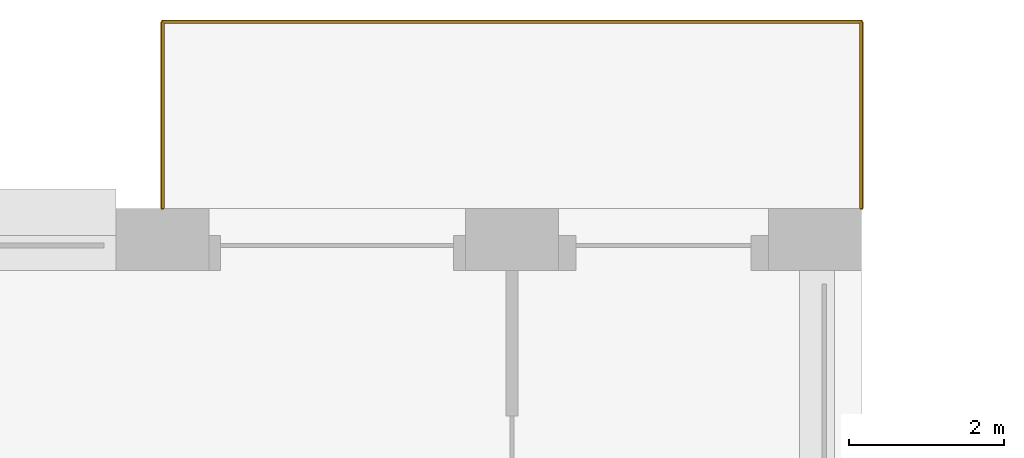
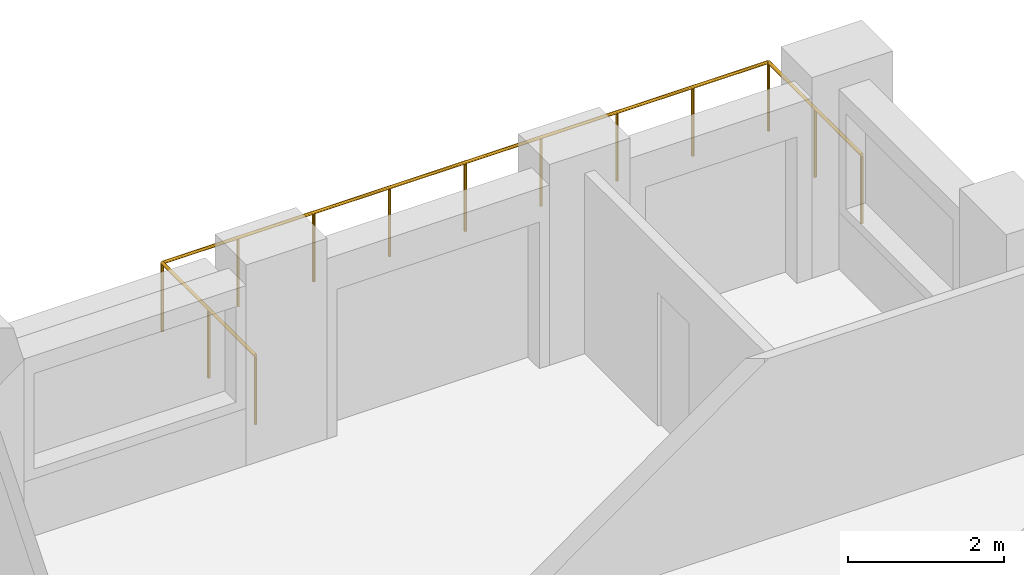
# One storey, part 20 of 20: 1 railing.
"""IFC4 building model written with IfcOpenShell, lengths in metres."""

from ifc_helpers import new_model, si_unit, direction, frame, origin, origin_2d, place, context, subcontext, project, spatial, circle, extrude, material, type_object, element, save


model = new_model("IFC4")

# Units and contexts
model_context = context("Model", 3, precision=1e-05, world=origin(), true_north=direction((0.0, 1.0)))
body_context = subcontext(model_context, "Body", "Model", "MODEL_VIEW")
ifc_project = project(units=[si_unit("LENGTHUNIT", "METRE"), si_unit("AREAUNIT", "SQUARE_METRE"), si_unit("VOLUMEUNIT", "CUBIC_METRE"), si_unit("PLANEANGLEUNIT", "RADIAN"), si_unit("MASSUNIT", "GRAM", prefix="KILO")], contexts=[model_context])

# Site, building, storey
site_placement = place(None, origin())
site = spatial("IfcSite", under=ifc_project, at=site_placement, CompositionType="ELEMENT")
building_placement = place(site_placement, origin())
building = spatial("IfcBuilding", under=site, at=building_placement, Name="Brigalow Station Residences", CompositionType="ELEMENT")
storey_placement = place(building_placement, frame((0.0, 0.0, 54.14990234375)))
storey = spatial("IfcBuildingStorey", under=building, at=storey_placement, Name="L15", CompositionType="ELEMENT", Elevation=54.14990234375)

# Railing
ifc_material = material(Name="Stainless steel balustrade with laminated glass infill", Category="steel")
railing_type = type_object("IfcRailingType", Name="BALCONY GUARD 1100", PredefinedType="GUARDRAIL", material=ifc_material)
railing_placement = place(storey_placement, frame((72.0, 48.5, -0.039794921875)))
element("IfcRailing", 1, at=railing_placement, inside=storey, type_object=railing_type, Name="L15/balcony-guard/2", PredefinedType="GUARDRAIL", context=body_context, shape_type="SweptSolid", body=[
    extrude(circle(Radius=0.02392578125, at=origin_2d()), frame((0.0, 0.0, 1.076171875), z_axis=(0.0, 1.0, 0.0), x_axis=(-1.0, 0.0, 0.0)), (0.0, 0.0, 1.0), 2.39990234375),
    extrude(circle(Radius=0.02392578125, at=origin_2d()), frame((0.0, 2.39990234375, 1.076171875), z_axis=(-1.0, 0.0, 0.0), x_axis=(0.0, -1.0, 0.0)), (0.0, 0.0, 1.0), 9.0),
    extrude(circle(Radius=0.02392578125, at=origin_2d()), frame((-9.0, 2.39990234375, 1.076171875), z_axis=(0.0, -1.0, 0.0), x_axis=(1.0, 0.0, 0.0)), (0.0, 0.0, 1.0), 2.39990234375),
    extrude(circle(Radius=0.02099609375, at=origin_2d()), origin(), (0.0, 0.0, 1.0), 1.052001953125),
    extrude(circle(Radius=0.02099609375, at=origin_2d()), frame((0.0, 1.199951171875, 0.0)), (0.0, 0.0, 1.0), 1.052001953125),
    extrude(circle(Radius=0.02099609375, at=origin_2d()), frame((0.0, 2.39990234375, 0.0)), (0.0, 0.0, 1.0), 1.052001953125),
    extrude(circle(Radius=0.02099609375, at=origin_2d()), frame((-1.125, 2.39990234375, 0.0)), (0.0, 0.0, 1.0), 1.052001953125),
    extrude(circle(Radius=0.02099609375, at=origin_2d()), frame((-2.25, 2.39990234375, 0.0)), (0.0, 0.0, 1.0), 1.052001953125),
    extrude(circle(Radius=0.02099609375, at=origin_2d()), frame((-3.375, 2.39990234375, 0.0)), (0.0, 0.0, 1.0), 1.052001953125),
    extrude(circle(Radius=0.02099609375, at=origin_2d()), frame((-4.5, 2.39990234375, 0.0)), (0.0, 0.0, 1.0), 1.052001953125),
    extrude(circle(Radius=0.02099609375, at=origin_2d()), frame((-5.625, 2.39990234375, 0.0)), (0.0, 0.0, 1.0), 1.052001953125),
    extrude(circle(Radius=0.02099609375, at=origin_2d()), frame((-6.75, 2.39990234375, 0.0)), (0.0, 0.0, 1.0), 1.052001953125),
    extrude(circle(Radius=0.02099609375, at=origin_2d()), frame((-7.875, 2.39990234375, 0.0)), (0.0, 0.0, 1.0), 1.052001953125),
    extrude(circle(Radius=0.02099609375, at=origin_2d()), frame((-9.0, 2.39990234375, 0.0)), (0.0, 0.0, 1.0), 1.052001953125),
    extrude(circle(Radius=0.02099609375, at=origin_2d()), frame((-9.0, 1.199951171875, 0.0)), (0.0, 0.0, 1.0), 1.052001953125),
    extrude(circle(Radius=0.02099609375, at=origin_2d()), frame((-9.0, 0.0, 0.0)), (0.0, 0.0, 1.0), 1.052001953125),
])

save(model, "model.ifc")
